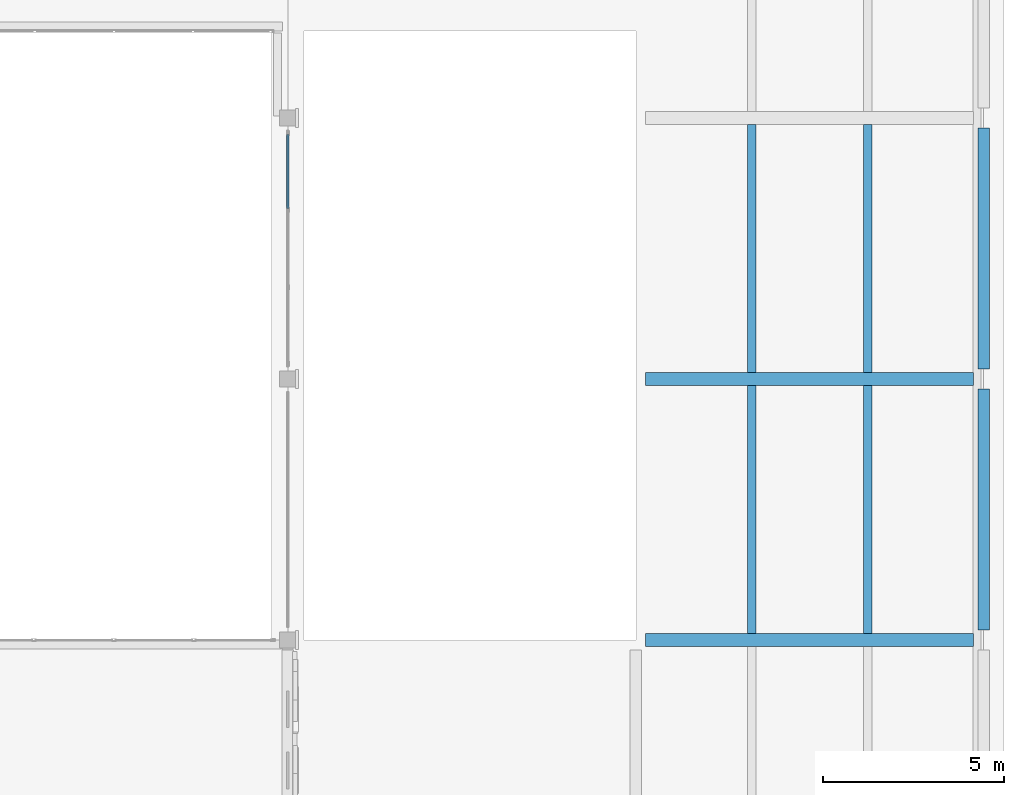
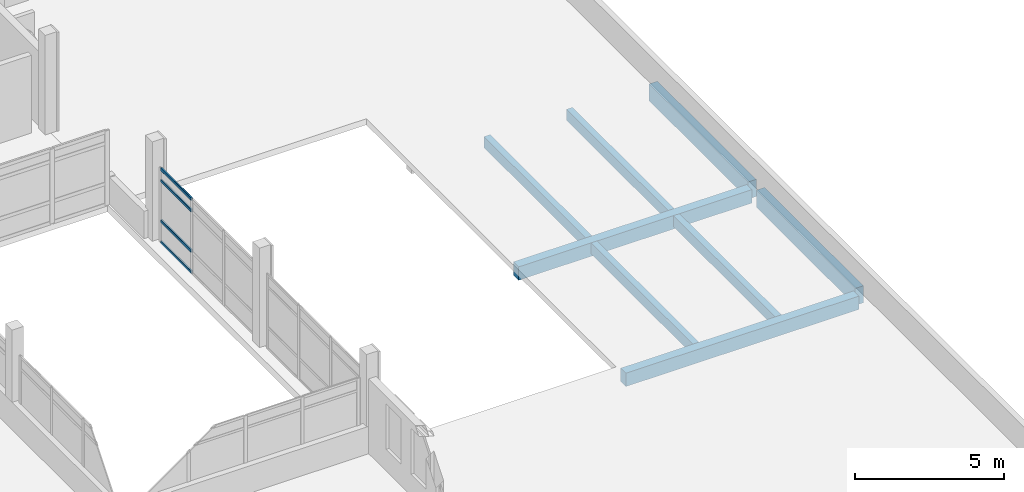
# One storey, part 24 of 50: 8 beams, 4 members, 1 element without a shape of its own.
"""IFC4 building model written with IfcOpenShell, lengths in metres."""

from ifc_helpers import new_model, si_unit, direction, frame, origin, origin_2d, place, context, subcontext, project, spatial, rectangle, hollow_rectangle, extrude, material, layer, layer_set, material_profile, profile_set, type_object, element, aggregate, save


model = new_model("IFC4")

# Units and contexts
model_context = context("Model", 3, precision=1e-05, world=origin(), true_north=direction((0.0, 1.0)))
body_context = subcontext(model_context, "Body", "Model", "MODEL_VIEW")
ifc_project = project(units=[si_unit("LENGTHUNIT", "METRE"), si_unit("AREAUNIT", "SQUARE_METRE"), si_unit("VOLUMEUNIT", "CUBIC_METRE"), si_unit("PLANEANGLEUNIT", "RADIAN"), si_unit("MASSUNIT", "GRAM", prefix="KILO")], contexts=[model_context])

# Site, building, storey
site_placement = place(None, origin())
site = spatial("IfcSite", under=ifc_project, at=site_placement, CompositionType="ELEMENT")
building_placement = place(site_placement, origin())
building = spatial("IfcBuilding", under=site, at=building_placement, Name="Asteropetra Specialist Clinic", CompositionType="ELEMENT")
storey_placement = place(building_placement, frame((0.0, 0.0, 16.659912109375)))
storey = spatial("IfcBuildingStorey", under=building, at=storey_placement, Name="L04", CompositionType="ELEMENT", Elevation=16.659912109375)

# Beams
ifc_material_1 = material(Name="Concrete C35/45", Category="concrete")
ifc_material_profile_1 = material_profile(ifc_material_1, rectangle(XDim=0.35009765625, YDim=0.550048828125, at=origin_2d()), Name="RCB 350x550")
ifc_profile_set_1 = profile_set([ifc_material_profile_1], Name="Concrete C35/45")
beam_type_1 = type_object("IfcBeamType", Name="BM-RC350x550", PredefinedType="BEAM", material=ifc_profile_set_1)
for number, where, z_axis, x_axis, name in (
    (1, (144.27490234375, 19.199951171875, -0.52490234375), (1.0, 0.0, 0.0), (0.0, 1.0, 0.0), "Beam BBM10-1934"),
    (2, (144.27490234375, 26.39990234375, -0.52490234375), (1.0, 0.0, 0.0), (0.0, 1.0, 0.0), "Beam BBM10-1935"),
):
    element("IfcBeam", number, at=place(storey_placement, frame(where, z_axis=z_axis, x_axis=x_axis)), inside=storey, type_object=beam_type_1, Name=name, PredefinedType="BEAM", context=body_context, shape_type="SweptSolid", body=[
        extrude(rectangle(XDim=0.35009765625, YDim=0.550048828125, at=origin_2d()), origin(), (0.0, 0.0, 1.0), 9.050048828125),
    ])

# Curtain wall, members
ifc_material_2 = material(Name="Aluminium and low-E glass", Category="aluminium")
ifc_layer = layer(ifc_material_2, 0.135009765625)
ifc_layer_set = layer_set([ifc_layer], Name="Aluminium and low-E glass")
curtain_wall_type = type_object("IfcCurtainWallType", Name="CW-SYS-12", PredefinedType="USERDEFINED", material=ifc_layer_set)
curtain_wall_placement = place(storey_placement, origin())
curtain_wall = element("IfcCurtainWall", 3, at=curtain_wall_placement, inside=storey, type_object=curtain_wall_type, Name="Curtain Wall CW-094", ObjectType="STICK GLAZED COLONNADE", PredefinedType="USERDEFINED")
ifc_material_3 = material(Name="Aluminium 6063-T6", Category="aluminium")
ifc_material_profile_2 = material_profile(ifc_material_3, hollow_rectangle(XDim=0.06494140625, YDim=0.1201171875, WallThickness=0.00390625, InnerFilletRadius=0.00390625, OuterFilletRadius=0.008056640625, at=origin_2d()), Name="TRN 120x65x4.0")
ifc_profile_set_2 = profile_set([ifc_material_profile_2], Name="Aluminium 6063-T6")
member_type = type_object("IfcMemberType", Name="CWT-120x65", PredefinedType="USERDEFINED", material=ifc_profile_set_2)
member_1_placement = place(storey_placement, frame((134.39990234375, 31.104248046875, 0.032470703125), z_axis=(0.0, 1.0, 0.0), x_axis=(-1.0, 0.0, 0.0)))
member_1 = element("IfcMember", 4, at=member_1_placement, type_object=member_type, Name="CW-094 transom 3.1", ObjectType="TRANSOM", PredefinedType="USERDEFINED", context=body_context, shape_type="SweptSolid", body=[
    extrude(hollow_rectangle(XDim=0.06494140625, YDim=0.1201171875, WallThickness=0.00390625, InnerFilletRadius=0.00390625, OuterFilletRadius=0.008056640625, at=origin_2d()), origin(), (0.0, 0.0, 1.0), 2.045654296875),
])
member_2_placement = place(storey_placement, frame((134.39990234375, 31.104248046875, 0.900146484375), z_axis=(0.0, 1.0, 0.0), x_axis=(-1.0, 0.0, 0.0)))
member_2 = element("IfcMember", 5, at=member_2_placement, type_object=member_type, Name="CW-094 transom 3.2", ObjectType="TRANSOM", PredefinedType="USERDEFINED", context=body_context, shape_type="SweptSolid", body=[
    extrude(hollow_rectangle(XDim=0.06494140625, YDim=0.1201171875, WallThickness=0.00390625, InnerFilletRadius=0.00390625, OuterFilletRadius=0.008056640625, at=origin_2d()), origin(), (0.0, 0.0, 1.0), 2.045654296875),
])
member_3_placement = place(storey_placement, frame((134.39990234375, 31.104248046875, 2.56005859375), z_axis=(0.0, 1.0, 0.0), x_axis=(-1.0, 0.0, 0.0)))
member_3 = element("IfcMember", 6, at=member_3_placement, type_object=member_type, Name="CW-094 transom 3.3", ObjectType="TRANSOM", PredefinedType="USERDEFINED", context=body_context, shape_type="SweptSolid", body=[
    extrude(hollow_rectangle(XDim=0.06494140625, YDim=0.1201171875, WallThickness=0.00390625, InnerFilletRadius=0.00390625, OuterFilletRadius=0.008056640625, at=origin_2d()), origin(), (0.0, 0.0, 1.0), 2.045654296875),
])
member_4_placement = place(storey_placement, frame((134.39990234375, 31.104248046875, 3.027587890625), z_axis=(0.0, 1.0, 0.0), x_axis=(-1.0, 0.0, 0.0)))
member_4 = element("IfcMember", 7, at=member_4_placement, type_object=member_type, Name="CW-094 transom 3.4", ObjectType="TRANSOM", PredefinedType="USERDEFINED", context=body_context, shape_type="SweptSolid", body=[
    extrude(hollow_rectangle(XDim=0.06494140625, YDim=0.1201171875, WallThickness=0.00390625, InnerFilletRadius=0.00390625, OuterFilletRadius=0.008056640625, at=origin_2d()), origin(), (0.0, 0.0, 1.0), 2.045654296875),
])
aggregate(curtain_wall, [member_1, member_2, member_3, member_4])

# Beams
ifc_material_4 = material(Name="Concrete C35/45", Category="concrete")
ifc_material_profile_3 = material_profile(ifc_material_4, rectangle(XDim=0.239990234375, YDim=0.449951171875, at=origin_2d()), Name="RCJ 240x450")
ifc_profile_set_3 = profile_set([ifc_material_profile_3], Name="Concrete C35/45")
beam_type_2 = type_object("IfcBeamType", Name="JST-RC240x450", PredefinedType="JOIST", material=ifc_profile_set_3)
for number, where, z_axis, x_axis, name in (
    (8, (147.199951171875, 19.375, -0.474853515625), (0.0, 1.0, 0.0), (-1.0, 0.0, 0.0), "Joist JJST03-1958"),
    (9, (150.39990234375, 19.375, -0.474853515625), (0.0, 1.0, 0.0), (-1.0, 0.0, 0.0), "Joist JJST03-1959"),
    (10, (147.199951171875, 26.574951171875, -0.474853515625), (0.0, 1.0, 0.0), (-1.0, 0.0, 0.0), "Joist JJST03-1961"),
    (11, (150.39990234375, 26.574951171875, -0.474853515625), (0.0, 1.0, 0.0), (-1.0, 0.0, 0.0), "Joist JJST03-1962"),
):
    element("IfcBeam", number, at=place(storey_placement, frame(where, z_axis=z_axis, x_axis=x_axis)), inside=storey, type_object=beam_type_2, Name=name, PredefinedType="JOIST", context=body_context, shape_type="SweptSolid", body=[
        extrude(rectangle(XDim=0.239990234375, YDim=0.449951171875, at=origin_2d()), origin(), (0.0, 0.0, 1.0), 6.85009765625),
    ])
ifc_material_5 = material(Name="Concrete C35/45", Category="concrete")
ifc_material_profile_4 = material_profile(ifc_material_5, rectangle(XDim=0.320068359375, YDim=0.699951171875, at=origin_2d()), Name="RCS 320x700")
ifc_profile_set_4 = profile_set([ifc_material_profile_4], Name="Concrete C35/45")
beam_type_3 = type_object("IfcBeamType", Name="SPN-RC320x700", PredefinedType="SPANDREL", material=ifc_profile_set_4)
for number, where, z_axis, x_axis, name in (
    (12, (153.60009765625, 19.47509765625, -0.599853515625), (0.0, 1.0, 0.0), (-1.0, 0.0, 0.0), "Beam BSPN02-1957"),
    (13, (153.60009765625, 26.675048828125, -0.599853515625), (0.0, 1.0, 0.0), (-1.0, 0.0, 0.0), "Beam BSPN02-1960"),
):
    element("IfcBeam", number, at=place(storey_placement, frame(where, z_axis=z_axis, x_axis=x_axis)), inside=storey, type_object=beam_type_3, Name=name, PredefinedType="SPANDREL", context=body_context, shape_type="SweptSolid", body=[
        extrude(rectangle(XDim=0.320068359375, YDim=0.699951171875, at=origin_2d()), origin(), (0.0, 0.0, 1.0), 6.64990234375),
    ])

save(model, "model.ifc")
